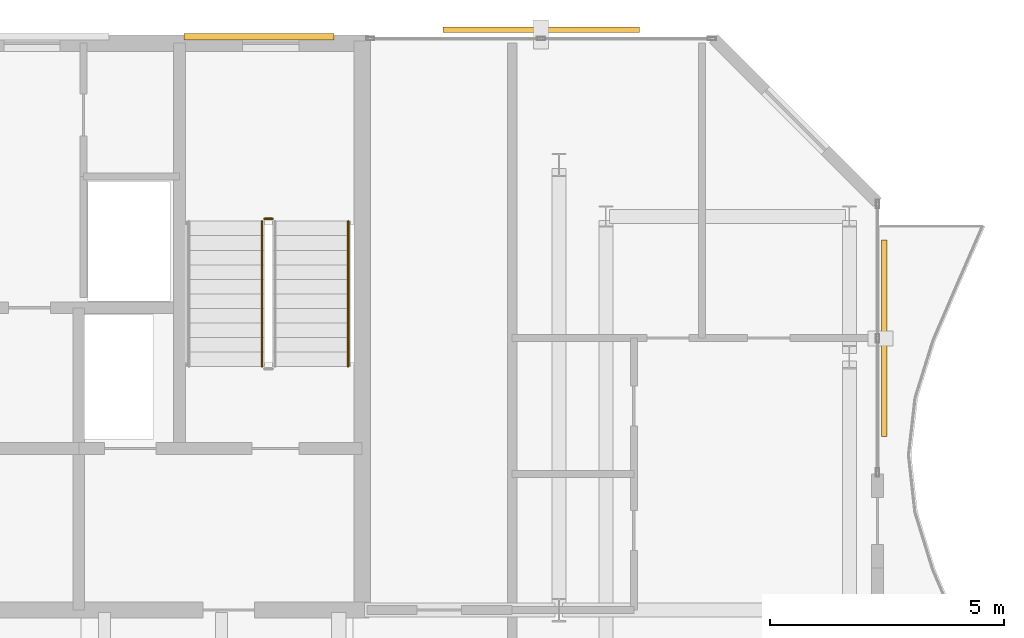
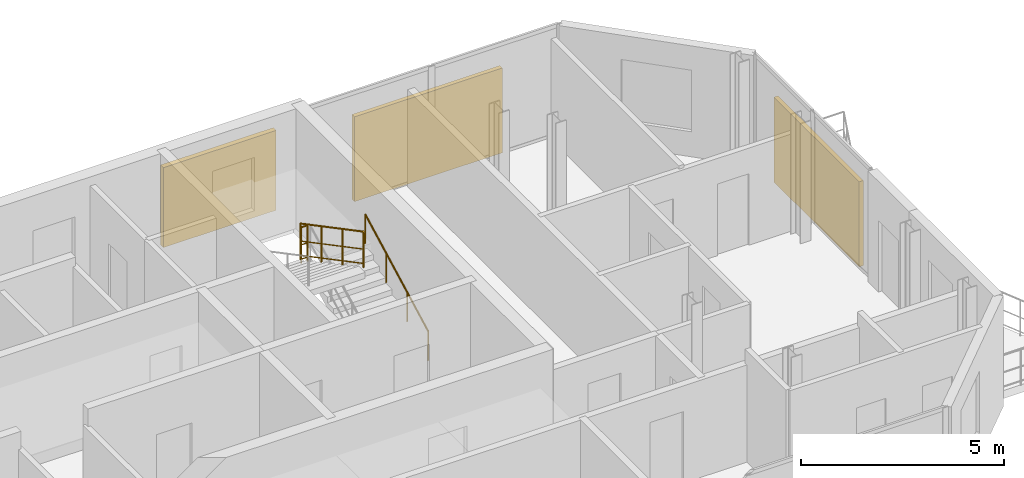
# One storey, part 23 of 23: 3 railings, 3 shading devices.
"""IFC4 building model written with IfcOpenShell, lengths in metres."""

from ifc_helpers import new_model, si_unit, direction, frame, origin, origin_2d, place, context, subcontext, project, spatial, rectangle, circle, extrude, material, type_object, element, save


model = new_model("IFC4")

# Units and contexts
model_context = context("Model", 3, precision=1e-05, world=origin(), true_north=direction((0.0, 1.0)))
body_context = subcontext(model_context, "Body", "Model", "MODEL_VIEW")
ifc_project = project(units=[si_unit("LENGTHUNIT", "METRE"), si_unit("AREAUNIT", "SQUARE_METRE"), si_unit("VOLUMEUNIT", "CUBIC_METRE"), si_unit("PLANEANGLEUNIT", "RADIAN"), si_unit("MASSUNIT", "GRAM", prefix="KILO")], contexts=[model_context])

# Site, building, storey
site_placement = place(None, origin())
site = spatial("IfcSite", under=ifc_project, at=site_placement, CompositionType="ELEMENT")
building_placement = place(site_placement, origin())
building = spatial("IfcBuilding", under=site, at=building_placement, Name="Catumbela Crestline Tower", CompositionType="ELEMENT")
storey_placement = place(building_placement, frame((0.0, 0.0, 197.4)))
storey = spatial("IfcBuildingStorey", under=building, at=storey_placement, Name="L51", CompositionType="ELEMENT", Elevation=197.4)

# Railings
ifc_material_1 = material(Name="Stainless steel EN 1.4401", Category="steel")
railing_type_1 = type_object("IfcRailingType", Name="RG-1100", PredefinedType="GUARDRAIL", material=ifc_material_1)
railing_1_placement = place(storey_placement, frame((38.09, 39.15, 1.8)))
element("IfcRailing", 1, at=railing_1_placement, inside=storey, type_object=railing_type_1, Name="L51 ST-02 stair guard 2", PredefinedType="GUARDRAIL", context=body_context, shape_type="SweptSolid", body=[
    extrude(circle(Radius=0.024, at=origin_2d()), frame((0.0, 0.0, 1.076), z_axis=(-1.0, 0.0, 0.0), x_axis=(0.0, -1.0, 0.0)), (0.0, 0.0, 1.0), 0.18),
    extrude(circle(Radius=0.0156, at=origin_2d()), frame((0.0, 0.0, 0.55), z_axis=(-1.0, 0.0, 0.0), x_axis=(0.0, -1.0, 0.0)), (0.0, 0.0, 1.0), 0.18),
    extrude(circle(Radius=0.0156, at=origin_2d()), frame((0.0, 0.0, 0.12), z_axis=(-1.0, 0.0, 0.0), x_axis=(0.0, -1.0, 0.0)), (0.0, 0.0, 1.0), 0.18),
    extrude(circle(Radius=0.021, at=origin_2d()), origin(), (0.0, 0.0, 1.0), 1.052),
    extrude(circle(Radius=0.021, at=origin_2d()), frame((-0.18, 0.0, 0.0)), (0.0, 0.0, 1.0), 1.052),
])
railing_2_placement = place(storey_placement, frame((37.86, 39.1, 1.9636)))
element("IfcRailing", 2, at=railing_2_placement, inside=storey, type_object=railing_type_1, Name="L51 ST-02 stair guard 3", PredefinedType="GUARDRAIL", context=body_context, shape_type="SweptSolid", body=[
    extrude(circle(Radius=0.024, at=origin_2d()), frame((0.0, 0.0, 1.076), z_axis=(0.0, -0.884350731049, 0.466823076222), x_axis=(1.0, 0.0, 0.0)), (0.0, 0.0, 1.0), 3.5054),
    extrude(circle(Radius=0.0156, at=origin_2d()), frame((0.0, 0.0, 0.55), z_axis=(0.0, -0.884350731049, 0.466823076222), x_axis=(1.0, 0.0, 0.0)), (0.0, 0.0, 1.0), 3.5054),
    extrude(circle(Radius=0.0156, at=origin_2d()), frame((0.0, 0.0, 0.12), z_axis=(0.0, -0.884350731049, 0.466823076222), x_axis=(1.0, 0.0, 0.0)), (0.0, 0.0, 1.0), 3.5054),
    extrude(circle(Radius=0.021, at=origin_2d()), origin(), (0.0, 0.0, 1.0), 1.052),
    extrude(circle(Radius=0.021, at=origin_2d()), frame((0.0, -1.0333, 0.5455)), (0.0, 0.0, 1.0), 1.052),
    extrude(circle(Radius=0.021, at=origin_2d()), frame((0.0, -2.0667, 1.0909)), (0.0, 0.0, 1.0), 1.052),
    extrude(circle(Radius=0.021, at=origin_2d()), frame((0.0, -3.1, 1.6364)), (0.0, 0.0, 1.0), 1.052),
])
railing_type_2 = type_object("IfcRailingType", Name="RH-0900", PredefinedType="HANDRAIL", material=ifc_material_1)
railing_3_placement = place(storey_placement, frame((39.7, 36.0, 0.1636)))
element("IfcRailing", 3, at=railing_3_placement, inside=storey, type_object=railing_type_2, Name="L51 ST-02 stair handrail 1", PredefinedType="HANDRAIL", context=body_context, shape_type="SweptSolid", body=[
    extrude(circle(Radius=0.024, at=origin_2d()), frame((0.0, 0.0, 0.876), z_axis=(0.0, 0.884350731049, 0.466823076222), x_axis=(-1.0, 0.0, 0.0)), (0.0, 0.0, 1.0), 3.5054),
    extrude(circle(Radius=0.021, at=origin_2d()), origin(), (0.0, 0.0, 1.0), 0.852),
    extrude(circle(Radius=0.021, at=origin_2d()), frame((0.0, 1.0333, 0.5455)), (0.0, 0.0, 1.0), 0.852),
    extrude(circle(Radius=0.021, at=origin_2d()), frame((0.0, 2.0667, 1.0909)), (0.0, 0.0, 1.0), 0.852),
    extrude(circle(Radius=0.021, at=origin_2d()), frame((0.0, 3.1, 1.6364)), (0.0, 0.0, 1.0), 0.852),
])

# Shading devices
ifc_material_2 = material(Name="Extruded terracotta ceramic", Category="masonry")
shading_device_type_1 = type_object("IfcShadingDeviceType", Name="ST-260", PredefinedType="USERDEFINED", material=ifc_material_2)
shading_device_1_placement = place(storey_placement, frame((51.143, 36.6, -0.1), z_axis=(0.0, 0.0, 1.0), x_axis=(0.0, 1.0, 0.0)))
element("IfcShadingDevice", 4, at=shading_device_1_placement, inside=storey, type_object=shading_device_type_1, Name="L51 Perforated Terracotta Solar Screen 614 (260 mm)", ObjectType="SCREEN", PredefinedType="USERDEFINED", context=body_context, shape_type="SweptSolid", body=[
    extrude(rectangle(XDim=4.2, YDim=0.12, at=origin_2d()), origin(), (0.0, 0.0, 1.0), 2.55),
])
shading_device_type_2 = type_object("IfcShadingDeviceType", Name="ST-340", PredefinedType="USERDEFINED", material=ifc_material_2)
shading_device_2_placement = place(storey_placement, frame((37.8, 43.04, 0.55), z_axis=(0.0, 0.0, 1.0), x_axis=(1.0, 0.0, 0.0)))
element("IfcShadingDevice", 5, at=shading_device_2_placement, inside=storey, type_object=shading_device_type_2, Name="L51 Rear Core Terracotta Brise-Soleil Screen 607", ObjectType="SCREEN", PredefinedType="USERDEFINED", context=body_context, shape_type="SweptSolid", body=[
    extrude(rectangle(XDim=3.2, YDim=0.14, at=origin_2d()), origin(), (0.0, 0.0, 1.0), 2.4),
])
shading_device_3_placement = place(storey_placement, frame((43.82, 43.187, -0.1), z_axis=(0.0, 0.0, 1.0), x_axis=(-1.0, 0.0, 0.0)))
element("IfcShadingDevice", 6, at=shading_device_3_placement, inside=storey, type_object=shading_device_type_2, Name="L51 Perforated Terracotta Solar Screen 615 (340 mm)", ObjectType="SCREEN", PredefinedType="USERDEFINED", context=body_context, shape_type="SweptSolid", body=[
    extrude(rectangle(XDim=4.2, YDim=0.12, at=origin_2d()), origin(), (0.0, 0.0, 1.0), 2.55),
])

save(model, "model.ifc")
